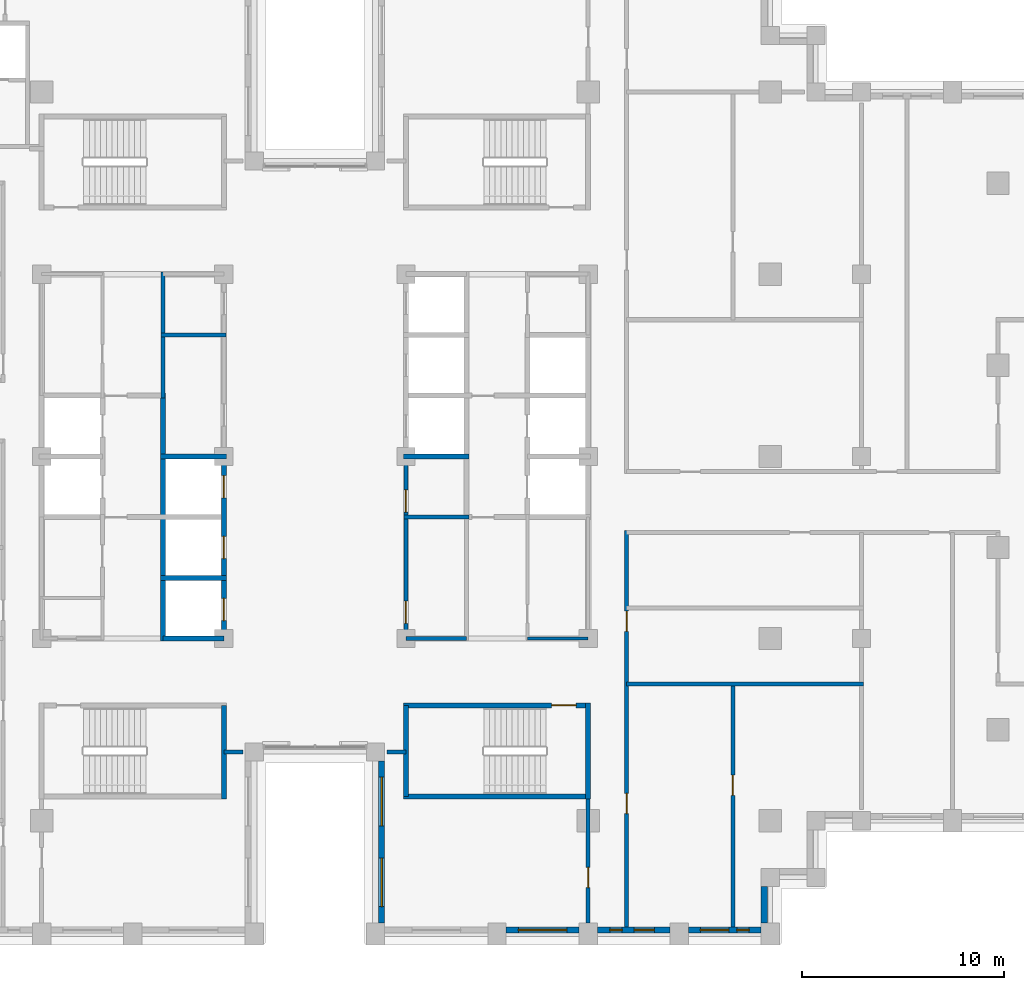
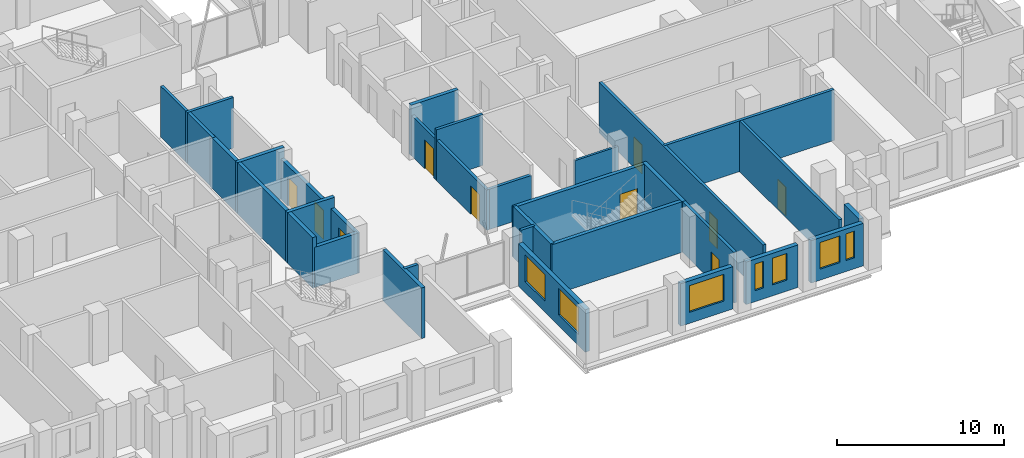
# One storey, part 8 of 16: 28 walls, 10 doors, 7 windows, 17 openings.
"""IFC4 building model written with IfcOpenShell, lengths in metres."""

from ifc_helpers import new_model, si_unit, direction, frame, frame_2d, origin, place, context, subcontext, project, spatial, rectangle, extrude, material, layer, layer_set, type_object, element, fill, save


model = new_model("IFC4")

# Units and contexts
model_context = context("Model", 3, precision=1e-05, world=origin(), true_north=direction((0.0, 1.0)))
body_context = subcontext(model_context, "Body", "Model", "MODEL_VIEW")
ifc_project = project(units=[si_unit("LENGTHUNIT", "METRE"), si_unit("AREAUNIT", "SQUARE_METRE"), si_unit("VOLUMEUNIT", "CUBIC_METRE"), si_unit("PLANEANGLEUNIT", "RADIAN"), si_unit("MASSUNIT", "GRAM", prefix="KILO")], contexts=[model_context])

# Site, building, storey
site_placement = place(None, origin())
site = spatial("IfcSite", under=ifc_project, at=site_placement, CompositionType="ELEMENT")
building_placement = place(site_placement, origin())
building = spatial("IfcBuilding", under=site, at=building_placement, Name="Corbelhall Arena Tower", CompositionType="ELEMENT")
storey_placement = place(building_placement, frame((0.0, 0.0, 170.0)))
storey = spatial("IfcBuildingStorey", under=building, at=storey_placement, Name="L34", CompositionType="ELEMENT", Elevation=170.0)

# Wall, openings, windows
ifc_material_1 = material(Name="Precast concrete C40/50 with granite facing", Category="masonry")
ifc_layer_1 = layer(ifc_material_1, 0.300048828125)
ifc_layer_set_1 = layer_set([ifc_layer_1], Name="EV-IW1 Infill panel 300")
wall_type_1 = type_object("IfcWallType", Name="EV-IW1 Infill panel 300", PredefinedType="SOLIDWALL", material=ifc_layer_set_1)
wall_1_placement = place(storey_placement, frame((3.300048828125, -15.050048828125, 0.0), z_axis=(0.0, 0.0, 1.0), x_axis=(0.0, -1.0, 0.0)))
wall_1 = element("IfcWall", 1, at=wall_1_placement, inside=storey, type_object=wall_type_1, Name="Infill panel IW1", PredefinedType="SOLIDWALL", context=body_context, shape_type="SweptSolid", body=[
    extrude(rectangle(XDim=8.0, YDim=0.300048828125, at=frame_2d((4.0, 0.0))), origin(), (0.0, 0.0, 1.0), 3.10009765625),
])
opening_1_placement = place(wall_1_placement, frame((0.800048828125, 0.0, 0.800048828125)))
opening_1 = element("IfcOpeningElement", 2, at=opening_1_placement, cuts=wall_1, Name="Opening WN1", PredefinedType="OPENING", context=body_context, shape_type="SweptSolid", body=[
    extrude(rectangle(XDim=2.39990234375, YDim=1.949951171875, at=frame_2d((1.199951171875, 0.97509765625))), frame((0.0, 0.14990234375, 0.0), z_axis=(0.0, -1.0, 0.0), x_axis=(1.0, 0.0, 0.0)), (0.0, 0.0, 1.0), 0.300048828125),
])
opening_2_placement = place(wall_1_placement, frame((4.800048828125, 0.0, 0.800048828125)))
opening_2 = element("IfcOpeningElement", 3, at=opening_2_placement, cuts=wall_1, Name="Opening WN1", PredefinedType="OPENING", context=body_context, shape_type="SweptSolid", body=[
    extrude(rectangle(XDim=2.39990234375, YDim=1.949951171875, at=frame_2d((1.199951171875, 0.97509765625))), frame((0.0, 0.14990234375, 0.0), z_axis=(0.0, -1.0, 0.0), x_axis=(1.0, 0.0, 0.0)), (0.0, 0.0, 1.0), 0.300048828125),
])
ifc_material_2 = material(Name="Aluminium black anodised", Category="aluminium")
window_type_1 = type_object("IfcWindowType", Name="EV-WN1 Office window", PartitioningType="SINGLE_PANEL", PredefinedType="WINDOW", material=ifc_material_2)
window_1_placement = place(opening_1_placement, origin())
window_1 = element("IfcWindow", 4, at=window_1_placement, inside=storey, type_object=window_type_1, Name="Window WN1", OverallHeight=1.949951171875, OverallWidth=2.39990234375, PartitioningType="SINGLE_PANEL", PredefinedType="WINDOW", context=body_context, shape_type="SweptSolid", body=[
    extrude(rectangle(XDim=2.39990234375, YDim=1.949951171875, at=frame_2d((1.199951171875, 0.97509765625))), frame((0.0, 0.030029296875, 0.0), z_axis=(0.0, -1.0, 0.0), x_axis=(1.0, 0.0, 0.0)), (0.0, 0.0, 1.0), 0.06005859375),
])
fill(opening_1, window_1)
window_2_placement = place(opening_2_placement, origin())
window_2 = element("IfcWindow", 5, at=window_2_placement, inside=storey, type_object=window_type_1, Name="Window WN1", OverallHeight=1.949951171875, OverallWidth=2.39990234375, PartitioningType="SINGLE_PANEL", PredefinedType="WINDOW", context=body_context, shape_type="SweptSolid", body=[
    extrude(rectangle(XDim=2.39990234375, YDim=1.949951171875, at=frame_2d((1.199951171875, 0.97509765625))), frame((0.0, 0.030029296875, 0.0), z_axis=(0.0, -1.0, 0.0), x_axis=(1.0, 0.0, 0.0)), (0.0, 0.0, 1.0), 0.06005859375),
])
fill(opening_2, window_2)

# Wall, opening, window
wall_2_placement = place(storey_placement, frame((9.449951171875, -23.39990234375, 0.0), z_axis=(0.0, 0.0, 1.0), x_axis=(1.0, 0.0, 0.0)))
wall_2 = element("IfcWall", 6, at=wall_2_placement, inside=storey, type_object=wall_type_1, Name="Infill panel IW1", PredefinedType="SOLIDWALL", context=body_context, shape_type="SweptSolid", body=[
    extrude(rectangle(XDim=3.60009765625, YDim=0.300048828125, at=frame_2d((1.800048828125, 0.0))), origin(), (0.0, 0.0, 1.0), 3.10009765625),
])
opening_3_placement = place(wall_2_placement, frame((0.60009765625, 0.0, 0.800048828125)))
opening_3 = element("IfcOpeningElement", 7, at=opening_3_placement, cuts=wall_2, Name="Opening WN1", PredefinedType="OPENING", context=body_context, shape_type="SweptSolid", body=[
    extrude(rectangle(XDim=2.39990234375, YDim=1.949951171875, at=frame_2d((1.199951171875, 0.97509765625))), frame((0.0, 0.14990234375, 0.0), z_axis=(0.0, -1.0, 0.0), x_axis=(1.0, 0.0, 0.0)), (0.0, 0.0, 1.0), 0.300048828125),
])
window_3_placement = place(opening_3_placement, origin())
window_3 = element("IfcWindow", 8, at=window_3_placement, inside=storey, type_object=window_type_1, Name="Window WN1", OverallHeight=1.949951171875, OverallWidth=2.39990234375, PartitioningType="SINGLE_PANEL", PredefinedType="WINDOW", context=body_context, shape_type="SweptSolid", body=[
    extrude(rectangle(XDim=2.39990234375, YDim=1.949951171875, at=frame_2d((1.199951171875, 0.97509765625))), frame((0.0, 0.030029296875, 0.0), z_axis=(0.0, -1.0, 0.0), x_axis=(1.0, 0.0, 0.0)), (0.0, 0.0, 1.0), 0.06005859375),
])
fill(opening_3, window_3)

# Wall, openings, windows
wall_3_placement = place(storey_placement, frame((13.949951171875, -23.39990234375, 0.0), z_axis=(0.0, 0.0, 1.0), x_axis=(1.0, 0.0, 0.0)))
wall_3 = element("IfcWall", 9, at=wall_3_placement, inside=storey, type_object=wall_type_1, Name="Infill panel IW1", PredefinedType="SOLIDWALL", context=body_context, shape_type="SweptSolid", body=[
    extrude(rectangle(XDim=3.60009765625, YDim=0.300048828125, at=frame_2d((1.800048828125, 0.0))), origin(), (0.0, 0.0, 1.0), 3.10009765625),
])
opening_4_placement = place(wall_3_placement, frame((0.625, 0.0, 0.800048828125)))
opening_4 = element("IfcOpeningElement", 10, at=opening_4_placement, cuts=wall_3, Name="Opening WN5", PredefinedType="OPENING", context=body_context, shape_type="SweptSolid", body=[
    extrude(rectangle(XDim=0.60009765625, YDim=1.949951171875, at=frame_2d((0.300048828125, 0.97509765625))), frame((0.0, 0.14990234375, 0.0), z_axis=(0.0, -1.0, 0.0), x_axis=(1.0, 0.0, 0.0)), (0.0, 0.0, 1.0), 0.300048828125),
])
opening_5_placement = place(wall_3_placement, frame((1.824951171875, 0.0, 0.800048828125)))
opening_5 = element("IfcOpeningElement", 11, at=opening_5_placement, cuts=wall_3, Name="Opening WN6", PredefinedType="OPENING", context=body_context, shape_type="SweptSolid", body=[
    extrude(rectangle(XDim=1.0, YDim=1.949951171875, at=frame_2d((0.5, 0.97509765625))), frame((0.0, 0.14990234375, 0.0), z_axis=(0.0, -1.0, 0.0), x_axis=(1.0, 0.0, 0.0)), (0.0, 0.0, 1.0), 0.300048828125),
])
window_type_2 = type_object("IfcWindowType", Name="EV-WN5 Office window 600", PartitioningType="SINGLE_PANEL", PredefinedType="WINDOW", material=ifc_material_2)
window_4_placement = place(opening_4_placement, origin())
window_4 = element("IfcWindow", 12, at=window_4_placement, inside=storey, type_object=window_type_2, Name="Window WN5", OverallHeight=1.949951171875, OverallWidth=0.60009765625, PartitioningType="SINGLE_PANEL", PredefinedType="WINDOW", context=body_context, shape_type="SweptSolid", body=[
    extrude(rectangle(XDim=0.60009765625, YDim=1.949951171875, at=frame_2d((0.300048828125, 0.97509765625))), frame((0.0, 0.030029296875, 0.0), z_axis=(0.0, -1.0, 0.0), x_axis=(1.0, 0.0, 0.0)), (0.0, 0.0, 1.0), 0.06005859375),
])
fill(opening_4, window_4)
window_type_3 = type_object("IfcWindowType", Name="EV-WN6 Office window 1000", PartitioningType="SINGLE_PANEL", PredefinedType="WINDOW", material=ifc_material_2)
window_5_placement = place(opening_5_placement, origin())
window_5 = element("IfcWindow", 13, at=window_5_placement, inside=storey, type_object=window_type_3, Name="Window WN6", OverallHeight=1.949951171875, OverallWidth=1.0, PartitioningType="SINGLE_PANEL", PredefinedType="WINDOW", context=body_context, shape_type="SweptSolid", body=[
    extrude(rectangle(XDim=1.0, YDim=1.949951171875, at=frame_2d((0.5, 0.97509765625))), frame((0.0, 0.030029296875, 0.0), z_axis=(0.0, -1.0, 0.0), x_axis=(1.0, 0.0, 0.0)), (0.0, 0.0, 1.0), 0.06005859375),
])
fill(opening_5, window_5)

wall_4_placement = place(storey_placement, frame((18.449951171875, -23.39990234375, 0.0), z_axis=(0.0, 0.0, 1.0), x_axis=(1.0, 0.0, 0.0)))
wall_4 = element("IfcWall", 14, at=wall_4_placement, inside=storey, type_object=wall_type_1, Name="Infill panel IW1", PredefinedType="SOLIDWALL", context=body_context, shape_type="SweptSolid", body=[
    extrude(rectangle(XDim=3.60009765625, YDim=0.300048828125, at=frame_2d((1.800048828125, 0.0))), origin(), (0.0, 0.0, 1.0), 3.10009765625),
])
opening_6_placement = place(wall_4_placement, frame((0.60009765625, 0.0, 0.800048828125)))
opening_6 = element("IfcOpeningElement", 15, at=opening_6_placement, cuts=wall_4, Name="Opening WN7", PredefinedType="OPENING", context=body_context, shape_type="SweptSolid", body=[
    extrude(rectangle(XDim=1.39990234375, YDim=1.949951171875, at=frame_2d((0.699951171875, 0.97509765625))), frame((0.0, 0.14990234375, 0.0), z_axis=(0.0, -1.0, 0.0), x_axis=(1.0, 0.0, 0.0)), (0.0, 0.0, 1.0), 0.300048828125),
])
opening_7_placement = place(wall_4_placement, frame((2.39990234375, 0.0, 0.800048828125)))
opening_7 = element("IfcOpeningElement", 16, at=opening_7_placement, cuts=wall_4, Name="Opening WN5", PredefinedType="OPENING", context=body_context, shape_type="SweptSolid", body=[
    extrude(rectangle(XDim=0.60009765625, YDim=1.949951171875, at=frame_2d((0.300048828125, 0.97509765625))), frame((0.0, 0.14990234375, 0.0), z_axis=(0.0, -1.0, 0.0), x_axis=(1.0, 0.0, 0.0)), (0.0, 0.0, 1.0), 0.300048828125),
])
window_6_placement = place(opening_7_placement, origin())
window_6 = element("IfcWindow", 17, at=window_6_placement, inside=storey, type_object=window_type_2, Name="Window WN5", OverallHeight=1.949951171875, OverallWidth=0.60009765625, PartitioningType="SINGLE_PANEL", PredefinedType="WINDOW", context=body_context, shape_type="SweptSolid", body=[
    extrude(rectangle(XDim=0.60009765625, YDim=1.949951171875, at=frame_2d((0.300048828125, 0.97509765625))), frame((0.0, 0.030029296875, 0.0), z_axis=(0.0, -1.0, 0.0), x_axis=(1.0, 0.0, 0.0)), (0.0, 0.0, 1.0), 0.06005859375),
])
fill(opening_7, window_6)
window_type_4 = type_object("IfcWindowType", Name="EV-WN7 Office window 1400", PartitioningType="SINGLE_PANEL", PredefinedType="WINDOW", material=ifc_material_2)
window_7_placement = place(opening_6_placement, origin())
window_7 = element("IfcWindow", 18, at=window_7_placement, inside=storey, type_object=window_type_4, Name="Window WN7", OverallHeight=1.949951171875, OverallWidth=1.39990234375, PartitioningType="SINGLE_PANEL", PredefinedType="WINDOW", context=body_context, shape_type="SweptSolid", body=[
    extrude(rectangle(XDim=1.39990234375, YDim=1.949951171875, at=frame_2d((0.699951171875, 0.97509765625))), frame((0.0, 0.030029296875, 0.0), z_axis=(0.0, -1.0, 0.0), x_axis=(1.0, 0.0, 0.0)), (0.0, 0.0, 1.0), 0.06005859375),
])
fill(opening_6, window_7)

# Walls
wall_5_placement = place(storey_placement, frame((22.199951171875, -23.050048828125, 0.0), z_axis=(0.0, 0.0, 1.0), x_axis=(0.0, 1.0, 0.0)))
element("IfcWall", 19, at=wall_5_placement, inside=storey, type_object=wall_type_1, Name="Infill panel IW1", PredefinedType="SOLIDWALL", context=body_context, shape_type="SweptSolid", body=[
    extrude(rectangle(XDim=1.800048828125, YDim=0.300048828125, at=frame_2d((0.89990234375, 0.0))), origin(), (0.0, 0.0, 1.0), 3.10009765625),
])
ifc_material_3 = material(Name="Gypsum board on steel stud, acoustic", Category="steel")
ifc_layer_2 = layer(ifc_material_3, 0.199951171875)
ifc_layer_set_2 = layer_set([ifc_layer_2], Name="IN-W-DM200")
wall_type_2 = type_object("IfcWallType", Name="IN-W-DM200", PredefinedType="PARTITIONING", material=ifc_layer_set_2)
for number, where, z_axis, x_axis, name in (
    (20, (-3.550048828125, -14.60009765625, 0.0), (0.0, 0.0, 1.0), (-1.0, 0.0, 0.0), "Partition 025"),
    (21, (4.5, -14.60009765625, 0.0), (0.0, 0.0, 1.0), (-1.0, 0.0, 0.0), "Partition 027"),
):
    element("IfcWall", number, at=place(storey_placement, frame(where, z_axis=z_axis, x_axis=x_axis)), inside=storey, type_object=wall_type_2, Name=name, PredefinedType="PARTITIONING", context=body_context, shape_type="SweptSolid", body=[
        extrude(rectangle(XDim=0.949951171875, YDim=0.199951171875, at=frame_2d((0.47509765625, 0.0))), origin(), (0.0, 0.0, 1.0), 3.699951171875),
    ])

# Wall, opening, door
wall_6_placement = place(storey_placement, frame((13.5, -23.050048828125, 0.0), z_axis=(0.0, 0.0, 1.0), x_axis=(0.0, 1.0, 0.0)))
wall_6 = element("IfcWall", 22, at=wall_6_placement, inside=storey, type_object=wall_type_2, Name="Partition 028", PredefinedType="PARTITIONING", context=body_context, shape_type="SweptSolid", body=[
    extrude(rectangle(XDim=6.375, YDim=0.199951171875, at=frame_2d((3.1875, 0.0))), origin(), (0.0, 0.0, 1.0), 3.699951171875),
])
opening_8_placement = place(wall_6_placement, frame((1.75, 0.0, 0.0)))
opening_8 = element("IfcOpeningElement", 23, at=opening_8_placement, cuts=wall_6, Name="Opening 10025", PredefinedType="OPENING", context=body_context, shape_type="SweptSolid", body=[
    extrude(rectangle(XDim=1.0, YDim=2.10009765625, at=frame_2d((0.5, 1.050048828125))), frame((0.0, 0.10009765625, 0.0), z_axis=(0.0, -1.0, 0.0), x_axis=(1.0, 0.0, 0.0)), (0.0, 0.0, 1.0), 0.199951171875),
])
ifc_material_4 = material(Name="Steel door set", Category="steel")
door_type_1 = type_object("IfcDoorType", Name="IN-D-SW100", OperationType="NOTDEFINED", PredefinedType="DOOR", material=ifc_material_4)
door_1_placement = place(opening_8_placement, origin())
door_1 = element("IfcDoor", 24, at=door_1_placement, inside=storey, type_object=door_type_1, Name="Door 025", OperationType="SINGLE_SWING_RIGHT", OverallHeight=2.10009765625, OverallWidth=1.0, PredefinedType="DOOR", context=body_context, shape_type="SweptSolid", body=[
    extrude(rectangle(XDim=1.0, YDim=2.10009765625, at=frame_2d((0.5, 1.050048828125))), frame((0.0, 0.02490234375, 0.0), z_axis=(0.0, -1.0, 0.0), x_axis=(1.0, 0.0, 0.0)), (0.0, 0.0, 1.0), 0.050048828125),
])
fill(opening_8, door_1)

# Wall
wall_7_placement = place(storey_placement, frame((15.39990234375, -11.25, 0.0), z_axis=(0.0, 0.0, 1.0), x_axis=(1.0, 0.0, 0.0)))
element("IfcWall", 25, at=wall_7_placement, inside=storey, type_object=wall_type_2, Name="Partition 030", PredefinedType="PARTITIONING", context=body_context, shape_type="SweptSolid", body=[
    extrude(rectangle(XDim=11.7001953125, YDim=0.199951171875, at=frame_2d((5.85009765625, 0.0))), origin(), (0.0, 0.0, 1.0), 3.699951171875),
])

# Wall, openings, doors
wall_8_placement = place(storey_placement, frame((15.39990234375, -3.64990234375, 0.0), z_axis=(0.0, 0.0, 1.0), x_axis=(0.0, -1.0, 0.0)))
wall_8 = element("IfcWall", 26, at=wall_8_placement, inside=storey, type_object=wall_type_2, Name="Partition 031", PredefinedType="PARTITIONING", context=body_context, shape_type="SweptSolid", body=[
    extrude(rectangle(XDim=19.60009765625, YDim=0.199951171875, at=frame_2d((9.800048828125, 0.0))), origin(), (0.0, 0.0, 1.0), 3.699951171875),
])
opening_9_placement = place(wall_8_placement, frame((13.0, 0.0, 0.0)))
opening_9 = element("IfcOpeningElement", 27, at=opening_9_placement, cuts=wall_8, Name="Opening 10038", PredefinedType="OPENING", context=body_context, shape_type="SweptSolid", body=[
    extrude(rectangle(XDim=1.0, YDim=2.10009765625, at=frame_2d((0.5, 1.050048828125))), frame((0.0, 0.10009765625, 0.0), z_axis=(0.0, -1.0, 0.0), x_axis=(1.0, 0.0, 0.0)), (0.0, 0.0, 1.0), 0.199951171875),
])
opening_10_placement = place(wall_8_placement, frame((4.0, 0.0, 0.0)))
opening_10 = element("IfcOpeningElement", 28, at=opening_10_placement, cuts=wall_8, Name="Opening 10040", PredefinedType="OPENING", context=body_context, shape_type="SweptSolid", body=[
    extrude(rectangle(XDim=1.0, YDim=2.10009765625, at=frame_2d((0.5, 1.050048828125))), frame((0.0, 0.10009765625, 0.0), z_axis=(0.0, -1.0, 0.0), x_axis=(1.0, 0.0, 0.0)), (0.0, 0.0, 1.0), 0.199951171875),
])
door_2_placement = place(opening_9_placement, origin())
door_2 = element("IfcDoor", 29, at=door_2_placement, inside=storey, type_object=door_type_1, Name="Door 038", OperationType="SINGLE_SWING_LEFT", OverallHeight=2.10009765625, OverallWidth=1.0, PredefinedType="DOOR", context=body_context, shape_type="SweptSolid", body=[
    extrude(rectangle(XDim=1.0, YDim=2.10009765625, at=frame_2d((0.5, 1.050048828125))), frame((0.0, 0.02490234375, 0.0), z_axis=(0.0, -1.0, 0.0), x_axis=(1.0, 0.0, 0.0)), (0.0, 0.0, 1.0), 0.050048828125),
])
fill(opening_9, door_2)
door_3_placement = place(opening_10_placement, origin())
door_3 = element("IfcDoor", 30, at=door_3_placement, inside=storey, type_object=door_type_1, Name="Door 040", OperationType="SINGLE_SWING_LEFT", OverallHeight=2.10009765625, OverallWidth=1.0, PredefinedType="DOOR", context=body_context, shape_type="SweptSolid", body=[
    extrude(rectangle(XDim=1.0, YDim=2.10009765625, at=frame_2d((0.5, 1.050048828125))), frame((0.0, 0.02490234375, 0.0), z_axis=(0.0, -1.0, 0.0), x_axis=(1.0, 0.0, 0.0)), (0.0, 0.0, 1.0), 0.050048828125),
])
fill(opening_10, door_3)

# Wall, opening, door
wall_9_placement = place(storey_placement, frame((20.64990234375, -11.14990234375, 0.0), z_axis=(0.0, 0.0, 1.0), x_axis=(0.0, -1.0, 0.0)))
wall_9 = element("IfcWall", 31, at=wall_9_placement, inside=storey, type_object=wall_type_2, Name="Partition 037", PredefinedType="PARTITIONING", context=body_context, shape_type="SweptSolid", body=[
    extrude(rectangle(XDim=12.10009765625, YDim=0.199951171875, at=frame_2d((6.050048828125, 0.0))), origin(), (0.0, 0.0, 1.0), 3.699951171875),
])
opening_11_placement = place(wall_9_placement, frame((4.60009765625, 0.0, 0.0)))
opening_11 = element("IfcOpeningElement", 32, at=opening_11_placement, cuts=wall_9, Name="Opening 10039", PredefinedType="OPENING", context=body_context, shape_type="SweptSolid", body=[
    extrude(rectangle(XDim=1.0, YDim=2.10009765625, at=frame_2d((0.5, 1.050048828125))), frame((0.0, 0.10009765625, 0.0), z_axis=(0.0, -1.0, 0.0), x_axis=(1.0, 0.0, 0.0)), (0.0, 0.0, 1.0), 0.199951171875),
])
door_4_placement = place(opening_11_placement, origin())
door_4 = element("IfcDoor", 33, at=door_4_placement, inside=storey, type_object=door_type_1, Name="Door 039", OperationType="SINGLE_SWING_RIGHT", OverallHeight=2.10009765625, OverallWidth=1.0, PredefinedType="DOOR", context=body_context, shape_type="SweptSolid", body=[
    extrude(rectangle(XDim=1.0, YDim=2.10009765625, at=frame_2d((0.5, 1.050048828125))), frame((0.0, 0.02490234375, 0.0), z_axis=(0.0, -1.0, 0.0), x_axis=(1.0, 0.0, 0.0)), (0.0, 0.0, 1.0), 0.050048828125),
])
fill(opening_11, door_4)

# Walls
ifc_material_5 = material(Name="Concrete block wall", Category="concrete")
ifc_layer_3 = layer(ifc_material_5, 0.199951171875)
ifc_layer_set_3 = layer_set([ifc_layer_3], Name="IN-W-RS200")
wall_type_3 = type_object("IfcWallType", Name="IN-W-RS200", PredefinedType="SOLIDWALL", material=ifc_layer_set_3)
wall_10_placement = place(storey_placement, frame((-7.60009765625, 6.0, 0.0), z_axis=(0.0, 0.0, 1.0), x_axis=(1.0, 0.0, 0.0)))
element("IfcWall", 34, at=wall_10_placement, inside=storey, type_object=wall_type_3, Name="Partition 050", PredefinedType="SOLIDWALL", context=body_context, shape_type="SweptSolid", body=[
    extrude(rectangle(XDim=3.2001953125, YDim=0.199951171875, at=frame_2d((1.60009765625, 0.0))), origin(), (0.0, 0.0, 1.0), 3.699951171875),
])
wall_11_placement = place(storey_placement, frame((-7.5, 2.875, 0.0), z_axis=(0.0, 0.0, 1.0), x_axis=(0.0, 1.0, 0.0)))
element("IfcWall", 35, at=wall_11_placement, inside=storey, type_object=wall_type_3, Name="Partition 051", PredefinedType="SOLIDWALL", context=body_context, shape_type="SweptSolid", body=[
    extrude(rectangle(XDim=6.22509765625, YDim=0.199951171875, at=frame_2d((3.112548828125, 0.0))), origin(), (0.0, 0.0, 1.0), 3.699951171875),
])
wall_12_placement = place(storey_placement, frame((4.39990234375, -3.0, 0.0), z_axis=(0.0, 0.0, 1.0), x_axis=(1.0, 0.0, 0.0)))
element("IfcWall", 36, at=wall_12_placement, inside=storey, type_object=wall_type_3, Name="Partition 054", PredefinedType="SOLIDWALL", context=body_context, shape_type="SweptSolid", body=[
    extrude(rectangle(XDim=3.22509765625, YDim=0.199951171875, at=frame_2d((1.612548828125, 0.0))), origin(), (0.0, 0.0, 1.0), 3.699951171875),
])

# Wall, openings, doors
ifc_layer_4 = layer(ifc_material_5, 0.199951171875)
ifc_layer_set_4 = layer_set([ifc_layer_4], Name="IN-W-RS200 under beam 762 mm")
wall_type_4 = type_object("IfcWallType", Name="IN-W-RS200 under beam 762 mm", PredefinedType="SOLIDWALL", material=ifc_layer_set_4)
wall_13_placement = place(storey_placement, frame((4.5, -9.10009765625, 0.0), z_axis=(0.0, 0.0, 1.0), x_axis=(0.0, 1.0, 0.0)))
wall_13 = element("IfcWall", 37, at=wall_13_placement, inside=storey, type_object=wall_type_4, Name="Partition 055", PredefinedType="SOLIDWALL", context=body_context, shape_type="SweptSolid", body=[
    extrude(rectangle(XDim=9.10009765625, YDim=0.199951171875, at=frame_2d((4.550048828125, 0.0))), origin(), (0.0, 0.0, 1.0), 2.93798828125),
])
opening_12_placement = place(wall_13_placement, frame((0.85009765625, 0.0, 0.0)))
opening_12 = element("IfcOpeningElement", 38, at=opening_12_placement, cuts=wall_13, Name="Opening 10008", PredefinedType="OPENING", context=body_context, shape_type="SweptSolid", body=[
    extrude(rectangle(XDim=1.10009765625, YDim=2.10009765625, at=frame_2d((0.550048828125, 1.050048828125))), frame((0.0, 0.10009765625, 0.0), z_axis=(0.0, -1.0, 0.0), x_axis=(1.0, 0.0, 0.0)), (0.0, 0.0, 1.0), 0.199951171875),
])
opening_13_placement = place(wall_13_placement, frame((6.35009765625, 0.0, 0.0)))
opening_13 = element("IfcOpeningElement", 39, at=opening_13_placement, cuts=wall_13, Name="Opening 10009", PredefinedType="OPENING", context=body_context, shape_type="SweptSolid", body=[
    extrude(rectangle(XDim=1.10009765625, YDim=2.10009765625, at=frame_2d((0.550048828125, 1.050048828125))), frame((0.0, 0.10009765625, 0.0), z_axis=(0.0, -1.0, 0.0), x_axis=(1.0, 0.0, 0.0)), (0.0, 0.0, 1.0), 0.199951171875),
])
door_type_2 = type_object("IfcDoorType", Name="IN-D-FD110", OperationType="NOTDEFINED", PredefinedType="DOOR", material=ifc_material_4)
door_5_placement = place(opening_12_placement, origin())
door_5 = element("IfcDoor", 40, at=door_5_placement, inside=storey, type_object=door_type_2, Name="Door 008", OperationType="SINGLE_SWING_LEFT", OverallHeight=2.10009765625, OverallWidth=1.10009765625, PredefinedType="DOOR", context=body_context, shape_type="SweptSolid", body=[
    extrude(rectangle(XDim=1.10009765625, YDim=2.10009765625, at=frame_2d((0.550048828125, 1.050048828125))), frame((0.0, 0.02490234375, 0.0), z_axis=(0.0, -1.0, 0.0), x_axis=(1.0, 0.0, 0.0)), (0.0, 0.0, 1.0), 0.050048828125),
])
fill(opening_12, door_5)
door_6_placement = place(opening_13_placement, origin())
door_6 = element("IfcDoor", 41, at=door_6_placement, inside=storey, type_object=door_type_2, Name="Door 009", OperationType="SINGLE_SWING_RIGHT", OverallHeight=2.10009765625, OverallWidth=1.10009765625, PredefinedType="DOOR", context=body_context, shape_type="SweptSolid", body=[
    extrude(rectangle(XDim=1.10009765625, YDim=2.10009765625, at=frame_2d((0.550048828125, 1.050048828125))), frame((0.0, 0.02490234375, 0.0), z_axis=(0.0, -1.0, 0.0), x_axis=(1.0, 0.0, 0.0)), (0.0, 0.0, 1.0), 0.050048828125),
])
fill(opening_13, door_6)

# Walls
wall_14_placement = place(storey_placement, frame((7.5, -9.0, 0.0), z_axis=(0.0, 0.0, 1.0), x_axis=(-1.0, 0.0, 0.0)))
element("IfcWall", 42, at=wall_14_placement, inside=storey, type_object=wall_type_4, Name="Partition 056", PredefinedType="SOLIDWALL", context=body_context, shape_type="SweptSolid", body=[
    extrude(rectangle(XDim=3.0, YDim=0.199951171875, at=frame_2d((1.5, 0.0))), origin(), (0.0, 0.0, 1.0), 2.93798828125),
])
ifc_material_6 = material(Name="Concrete C40/50", Category="concrete")
ifc_layer_5 = layer(ifc_material_6, 0.25)
ifc_layer_set_5 = layer_set([ifc_layer_5], Name="IN-W-SH250")
wall_type_5 = type_object("IfcWallType", Name="IN-W-SH250", PredefinedType="SOLIDWALL", material=ifc_layer_set_5)
for number, where, z_axis, x_axis, name in (
    (43, (-7.625, -6.0, 0.0), (0.0, 0.0, 1.0), (1.0, 0.0, 0.0), "Shaft wall 066"),
    (44, (-7.625, 0.0, 0.0), (0.0, 0.0, 1.0), (1.0, 0.0, 0.0), "Shaft wall 067"),
):
    element("IfcWall", number, at=place(storey_placement, frame(where, z_axis=z_axis, x_axis=x_axis)), inside=storey, type_object=wall_type_5, Name=name, PredefinedType="SOLIDWALL", context=body_context, shape_type="SweptSolid", body=[
        extrude(rectangle(XDim=3.25, YDim=0.25, at=frame_2d((1.625, 0.0))), origin(), (0.0, 0.0, 1.0), 3.699951171875),
    ])
wall_15_placement = place(storey_placement, frame((-7.5, -9.125, 0.0), z_axis=(0.0, 0.0, 1.0), x_axis=(0.0, 1.0, 0.0)))
element("IfcWall", 45, at=wall_15_placement, inside=storey, type_object=wall_type_5, Name="Shaft wall 068", PredefinedType="SOLIDWALL", context=body_context, shape_type="SweptSolid", body=[
    extrude(rectangle(XDim=12.25, YDim=0.25, at=frame_2d((6.125, 0.0))), origin(), (0.0, 0.0, 1.0), 3.699951171875),
])
wall_16_placement = place(storey_placement, frame((4.375, 0.0, 0.0), z_axis=(0.0, 0.0, 1.0), x_axis=(1.0, 0.0, 0.0)))
element("IfcWall", 46, at=wall_16_placement, inside=storey, type_object=wall_type_5, Name="Shaft wall 071", PredefinedType="SOLIDWALL", context=body_context, shape_type="SweptSolid", body=[
    extrude(rectangle(XDim=3.25, YDim=0.25, at=frame_2d((1.625, 0.0))), origin(), (0.0, 0.0, 1.0), 3.699951171875),
])
ifc_layer_6 = layer(ifc_material_6, 0.25)
ifc_layer_set_6 = layer_set([ifc_layer_6], Name="IN-W-SH250 under beam 762 mm")
wall_type_6 = type_object("IfcWallType", Name="IN-W-SH250 under beam 762 mm", PredefinedType="SOLIDWALL", material=ifc_layer_set_6)
wall_17_placement = place(storey_placement, frame((-4.5, -9.0, 0.0), z_axis=(0.0, 0.0, 1.0), x_axis=(-1.0, 0.0, 0.0)))
element("IfcWall", 47, at=wall_17_placement, inside=storey, type_object=wall_type_6, Name="Shaft wall 069", PredefinedType="SOLIDWALL", context=body_context, shape_type="SweptSolid", body=[
    extrude(rectangle(XDim=3.0, YDim=0.25, at=frame_2d((1.5, 0.0))), origin(), (0.0, 0.0, 1.0), 2.93798828125),
])

# Wall, openings, doors
wall_18_placement = place(storey_placement, frame((-4.5, 0.0, 0.0), z_axis=(0.0, 0.0, 1.0), x_axis=(0.0, -1.0, 0.0)))
wall_18 = element("IfcWall", 48, at=wall_18_placement, inside=storey, type_object=wall_type_6, Name="Shaft wall 070", PredefinedType="SOLIDWALL", context=body_context, shape_type="SweptSolid", body=[
    extrude(rectangle(XDim=9.125, YDim=0.25, at=frame_2d((4.5625, 0.0))), origin(), (0.0, 0.0, 1.0), 2.93798828125),
])
opening_14_placement = place(wall_18_placement, frame((7.012451171875, 0.0, 0.0)))
opening_14 = element("IfcOpeningElement", 49, at=opening_14_placement, cuts=wall_18, Name="Opening LD", PredefinedType="OPENING", context=body_context, shape_type="SweptSolid", body=[
    extrude(rectangle(XDim=1.10009765625, YDim=2.10009765625, at=frame_2d((0.550048828125, 1.050048828125))), frame((0.0, 0.125, 0.0), z_axis=(0.0, -1.0, 0.0), x_axis=(1.0, 0.0, 0.0)), (0.0, 0.0, 1.0), 0.25),
])
opening_15_placement = place(wall_18_placement, frame((3.949951171875, 0.0, 0.0)))
opening_15 = element("IfcOpeningElement", 50, at=opening_15_placement, cuts=wall_18, Name="Opening LD", PredefinedType="OPENING", context=body_context, shape_type="SweptSolid", body=[
    extrude(rectangle(XDim=1.10009765625, YDim=2.10009765625, at=frame_2d((0.550048828125, 1.050048828125))), frame((0.0, 0.125, 0.0), z_axis=(0.0, -1.0, 0.0), x_axis=(1.0, 0.0, 0.0)), (0.0, 0.0, 1.0), 0.25),
])
opening_16_placement = place(wall_18_placement, frame((0.949951171875, 0.0, 0.0)))
opening_16 = element("IfcOpeningElement", 51, at=opening_16_placement, cuts=wall_18, Name="Opening LD", PredefinedType="OPENING", context=body_context, shape_type="SweptSolid", body=[
    extrude(rectangle(XDim=1.10009765625, YDim=2.10009765625, at=frame_2d((0.550048828125, 1.050048828125))), frame((0.0, 0.125, 0.0), z_axis=(0.0, -1.0, 0.0), x_axis=(1.0, 0.0, 0.0)), (0.0, 0.0, 1.0), 0.25),
])
door_type_3 = type_object("IfcDoorType", Name="IN-D-LD110", OperationType="NOTDEFINED", PredefinedType="DOOR", material=ifc_material_4)
door_7_placement = place(opening_14_placement, origin())
door_7 = element("IfcDoor", 52, at=door_7_placement, inside=storey, type_object=door_type_3, Name="Landing door W1", OperationType="SLIDING_TO_LEFT", OverallHeight=2.10009765625, OverallWidth=1.10009765625, PredefinedType="DOOR", context=body_context, shape_type="SweptSolid", body=[
    extrude(rectangle(XDim=1.10009765625, YDim=2.10009765625, at=frame_2d((0.550048828125, 1.050048828125))), frame((0.0, 0.02490234375, 0.0), z_axis=(0.0, -1.0, 0.0), x_axis=(1.0, 0.0, 0.0)), (0.0, 0.0, 1.0), 0.050048828125),
])
fill(opening_14, door_7)
door_8_placement = place(opening_15_placement, origin())
door_8 = element("IfcDoor", 53, at=door_8_placement, inside=storey, type_object=door_type_3, Name="Landing door W2", OperationType="SLIDING_TO_LEFT", OverallHeight=2.10009765625, OverallWidth=1.10009765625, PredefinedType="DOOR", context=body_context, shape_type="SweptSolid", body=[
    extrude(rectangle(XDim=1.10009765625, YDim=2.10009765625, at=frame_2d((0.550048828125, 1.050048828125))), frame((0.0, 0.02490234375, 0.0), z_axis=(0.0, -1.0, 0.0), x_axis=(1.0, 0.0, 0.0)), (0.0, 0.0, 1.0), 0.050048828125),
])
fill(opening_15, door_8)
door_9_placement = place(opening_16_placement, origin())
door_9 = element("IfcDoor", 54, at=door_9_placement, inside=storey, type_object=door_type_3, Name="Landing door W3", OperationType="SLIDING_TO_LEFT", OverallHeight=2.10009765625, OverallWidth=1.10009765625, PredefinedType="DOOR", context=body_context, shape_type="SweptSolid", body=[
    extrude(rectangle(XDim=1.10009765625, YDim=2.10009765625, at=frame_2d((0.550048828125, 1.050048828125))), frame((0.0, 0.02490234375, 0.0), z_axis=(0.0, -1.0, 0.0), x_axis=(1.0, 0.0, 0.0)), (0.0, 0.0, 1.0), 0.050048828125),
])
fill(opening_16, door_9)

# Walls
ifc_layer_7 = layer(ifc_material_6, 0.25)
ifc_layer_set_7 = layer_set([ifc_layer_7], Name="IN-W-ST250")
wall_type_7 = type_object("IfcWallType", Name="IN-W-ST250", PredefinedType="SOLIDWALL", material=ifc_layer_set_7)
wall_19_placement = place(storey_placement, frame((-4.5, -12.300048828125, 0.0), z_axis=(0.0, 0.0, 1.0), x_axis=(0.0, -1.0, 0.0)))
element("IfcWall", 55, at=wall_19_placement, inside=storey, type_object=wall_type_7, Name="Shaft wall 093", PredefinedType="SOLIDWALL", context=body_context, shape_type="SweptSolid", body=[
    extrude(rectangle(XDim=4.625, YDim=0.25, at=frame_2d((2.3125, 0.0))), origin(), (0.0, 0.0, 1.0), 3.699951171875),
])
wall_20_placement = place(storey_placement, frame((4.5, -16.800048828125, 0.0), z_axis=(0.0, 0.0, 1.0), x_axis=(0.0, 1.0, 0.0)))
element("IfcWall", 56, at=wall_20_placement, inside=storey, type_object=wall_type_7, Name="Shaft wall 098", PredefinedType="SOLIDWALL", context=body_context, shape_type="SweptSolid", body=[
    extrude(rectangle(XDim=4.5, YDim=0.25, at=frame_2d((2.25, 0.0))), origin(), (0.0, 0.0, 1.0), 3.699951171875),
])
wall_21_placement = place(storey_placement, frame((13.5, -16.925048828125, 0.0), z_axis=(0.0, 0.0, 1.0), x_axis=(0.0, 1.0, 0.0)))
element("IfcWall", 57, at=wall_21_placement, inside=storey, type_object=wall_type_7, Name="Shaft wall 100", PredefinedType="SOLIDWALL", context=body_context, shape_type="SweptSolid", body=[
    extrude(rectangle(XDim=4.75, YDim=0.25, at=frame_2d((2.375, 0.0))), origin(), (0.0, 0.0, 1.0), 3.699951171875),
])
wall_22_placement = place(storey_placement, frame((13.5, -16.800048828125, 0.0), z_axis=(0.0, 0.0, 1.0), x_axis=(-1.0, 0.0, 0.0)))
element("IfcWall", 58, at=wall_22_placement, inside=storey, type_object=wall_type_7, Name="Shaft wall 101", PredefinedType="SOLIDWALL", context=body_context, shape_type="SweptSolid", body=[
    extrude(rectangle(XDim=9.125, YDim=0.25, at=frame_2d((4.5625, 0.0))), origin(), (0.0, 0.0, 1.0), 3.699951171875),
])

# Wall, opening, door
wall_23_placement = place(storey_placement, frame((13.5, -12.300048828125, 0.0), z_axis=(0.0, 0.0, 1.0), x_axis=(-1.0, 0.0, 0.0)))
wall_23 = element("IfcWall", 59, at=wall_23_placement, inside=storey, type_object=wall_type_7, Name="Shaft wall 102", PredefinedType="SOLIDWALL", context=body_context, shape_type="SweptSolid", body=[
    extrude(rectangle(XDim=9.125, YDim=0.25, at=frame_2d((4.5625, 0.0))), origin(), (0.0, 0.0, 1.0), 3.699951171875),
])
opening_17_placement = place(wall_23_placement, frame((0.60009765625, 0.0, 0.0)))
opening_17 = element("IfcOpeningElement", 60, at=opening_17_placement, cuts=wall_23, Name="Opening 10017", PredefinedType="OPENING", context=body_context, shape_type="SweptSolid", body=[
    extrude(rectangle(XDim=1.199951171875, YDim=2.10009765625, at=frame_2d((0.60009765625, 1.050048828125))), frame((0.0, 0.125, 0.0), z_axis=(0.0, -1.0, 0.0), x_axis=(1.0, 0.0, 0.0)), (0.0, 0.0, 1.0), 0.25),
])
door_type_4 = type_object("IfcDoorType", Name="IN-D-ST120", OperationType="NOTDEFINED", PredefinedType="DOOR", material=ifc_material_4)
door_10_placement = place(opening_17_placement, origin())
door_10 = element("IfcDoor", 61, at=door_10_placement, inside=storey, type_object=door_type_4, Name="Door 017", OperationType="SINGLE_SWING_RIGHT", OverallHeight=2.10009765625, OverallWidth=1.199951171875, PredefinedType="DOOR", context=body_context, shape_type="SweptSolid", body=[
    extrude(rectangle(XDim=1.199951171875, YDim=2.10009765625, at=frame_2d((0.60009765625, 1.050048828125))), frame((0.0, 0.02490234375, 0.0), z_axis=(0.0, -1.0, 0.0), x_axis=(1.0, 0.0, 0.0)), (0.0, 0.0, 1.0), 0.050048828125),
])
fill(opening_17, door_10)

# Wall
ifc_material_7 = material(Name="Gypsum board on steel stud, moisture resistant", Category="steel")
ifc_layer_8 = layer(ifc_material_7, 0.14990234375)
ifc_layer_set_8 = layer_set([ifc_layer_8], Name="IN-W-WC150 under beam 762 mm")
wall_type_8 = type_object("IfcWallType", Name="IN-W-WC150 under beam 762 mm", PredefinedType="PARTITIONING", material=ifc_layer_set_8)
wall_24_placement = place(storey_placement, frame((13.5, -9.0, 0.0), z_axis=(0.0, 0.0, 1.0), x_axis=(-1.0, 0.0, 0.0)))
element("IfcWall", 62, at=wall_24_placement, inside=storey, type_object=wall_type_8, Name="Partition 118", PredefinedType="PARTITIONING", context=body_context, shape_type="SweptSolid", body=[
    extrude(rectangle(XDim=3.0, YDim=0.14990234375, at=frame_2d((1.5, 0.0))), origin(), (0.0, 0.0, 1.0), 2.93798828125),
])

save(model, "model.ifc")
